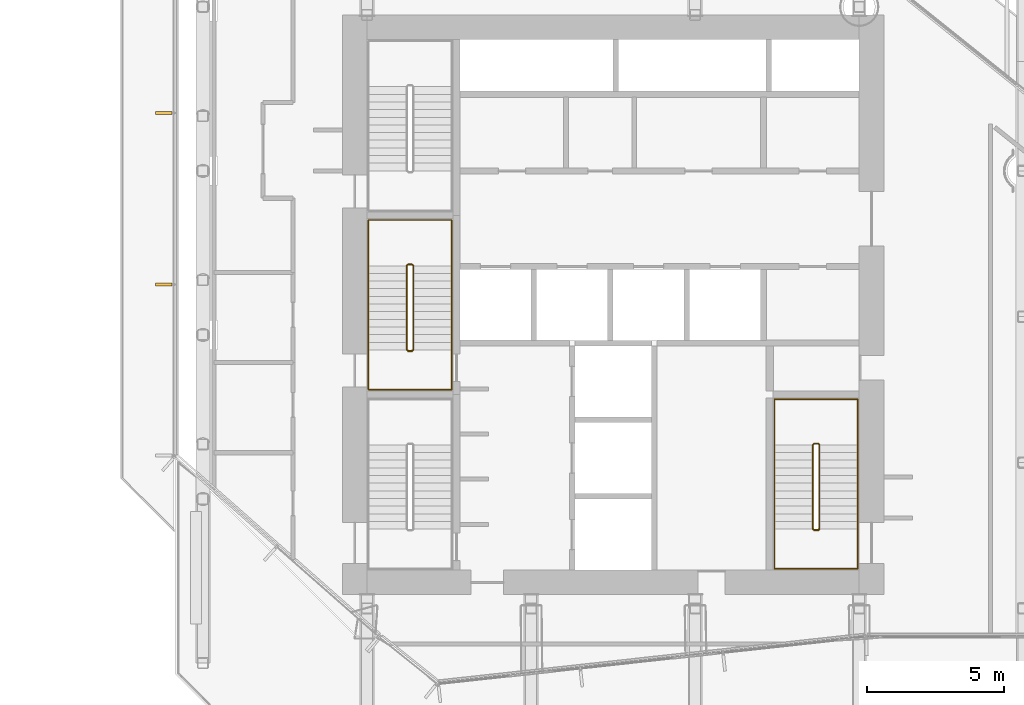
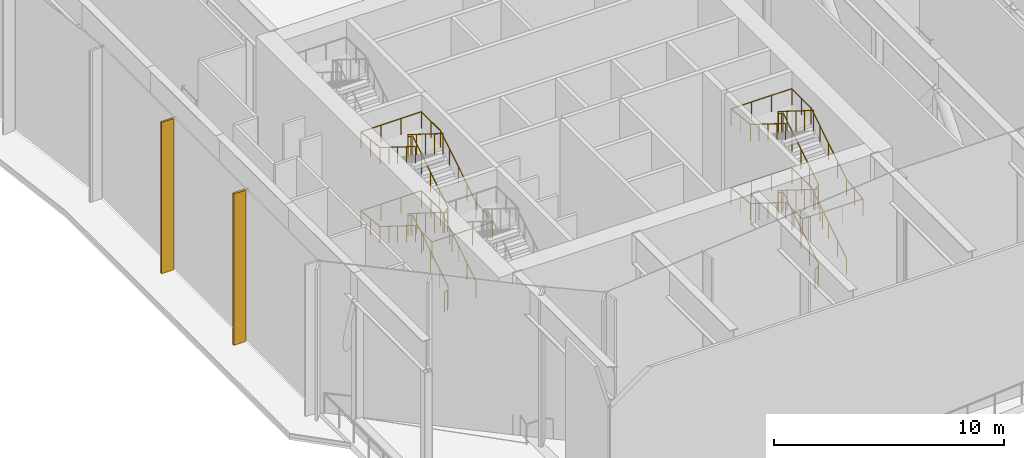
# One storey, part 19 of 25: 4 railings, 2 coverings.
"""IFC4 building model written with IfcOpenShell, lengths in metres."""

from ifc_helpers import new_model, si_unit, direction, frame, origin, origin_2d, place, context, subcontext, project, spatial, rectangle, circle, extrude, material, layer, layer_set, type_object, element, save


model = new_model("IFC4")

# Units and contexts
model_context = context("Model", 3, precision=1e-05, world=origin(), true_north=direction((0.0, 1.0)))
body_context = subcontext(model_context, "Body", "Model", "MODEL_VIEW")
ifc_project = project(units=[si_unit("LENGTHUNIT", "METRE"), si_unit("AREAUNIT", "SQUARE_METRE"), si_unit("VOLUMEUNIT", "CUBIC_METRE"), si_unit("PLANEANGLEUNIT", "RADIAN"), si_unit("MASSUNIT", "GRAM", prefix="KILO")], contexts=[model_context])

# Site, building, storey
site_placement = place(None, origin())
site = spatial("IfcSite", under=ifc_project, at=site_placement, CompositionType="ELEMENT")
building_placement = place(site_placement, origin())
building = spatial("IfcBuilding", under=site, at=building_placement, Name="Welwitschia Terrace Campus", CompositionType="ELEMENT")
storey_placement = place(building_placement, frame((0.0, 0.0, 79.39990234375)))
storey = spatial("IfcBuildingStorey", under=building, at=storey_placement, Name="L18", CompositionType="ELEMENT", Elevation=79.39990234375)

# Coverings
ifc_material_1 = material(Name="Bronze anodised aluminium", Category="aluminium")
ifc_layer = layer(ifc_material_1, 0.10009765625)
ifc_layer_set = layer_set([ifc_layer], Name="Bronze anodised aluminium")
covering_type = type_object("IfcCoveringType", Name="Bronze fin 100x600", PredefinedType="USERDEFINED", material=ifc_layer_set)
for number, where, z_axis, x_axis, name in (
    (1, (-1.429931640625, 22.118896484375, 0.0), (0.0, 0.0, 1.0), (0.0, -1.0, 0.0), "Fin L18.4.1"),
    (2, (-1.429931640625, 15.842041015625, 0.0), (0.0, 0.0, 1.0), (0.0, -1.0, 0.0), "Fin L18.4.2"),
):
    element("IfcCovering", number, at=place(storey_placement, frame(where, z_axis=z_axis, x_axis=x_axis)), inside=storey, type_object=covering_type, Name=name, ObjectType="FIN", PredefinedType="USERDEFINED", context=body_context, shape_type="SweptSolid", body=[
        extrude(rectangle(XDim=0.10009765625, YDim=0.60009765625, at=origin_2d()), origin(), (0.0, 0.0, 1.0), 8.050048828125),
    ])

# Railings
ifc_material_2 = material(Name="Steel S355", Category="steel")
railing_type_1 = type_object("IfcRailingType", Name="Stair guard 1100", PredefinedType="GUARDRAIL", material=ifc_material_2)
railing_1_placement = place(storey_placement, frame((7.5, 13.39990234375, 0.0)))
element("IfcRailing", 3, at=railing_1_placement, inside=storey, type_object=railing_type_1, Name="L18 S3 stair guard", PredefinedType="GUARDRAIL", context=body_context, shape_type="SweptSolid", body=[
    extrude(circle(Radius=0.02392578125, at=origin_2d()), frame((0.0, 0.0, 1.076171875), z_axis=(1.0, 0.0, 0.0), x_axis=(0.0, 1.0, 0.0)), (0.0, 0.0, 1.0), 0.14990234375),
    extrude(circle(Radius=0.02392578125, at=origin_2d()), frame((0.14990234375, 0.0, 1.076171875), z_axis=(0.265065253269, 0.265065253269, 0.927081885822), x_axis=(-0.707106781187, 0.707106781187, 0.0)), (0.0, 0.0, 1.0), 0.188720703125),
    extrude(circle(Radius=0.02392578125, at=origin_2d()), frame((0.199951171875, 0.050048828125, 1.2509765625), z_axis=(0.0, 0.847998304005, 0.529998940003), x_axis=(-1.0, 0.0, 0.0)), (0.0, 0.0, 1.0), 3.632080078125),
    extrude(circle(Radius=0.02392578125, at=origin_2d()), frame((0.199951171875, 3.130126953125, 3.17626953125), z_axis=(-0.707106781187, 0.707106781187, 0.0), x_axis=(-0.707106781187, -0.707106781187, 0.0)), (0.0, 0.0, 1.0), 0.07080078125),
    extrude(circle(Radius=0.02392578125, at=origin_2d()), frame((0.14990234375, 3.18017578125, 3.17626953125), z_axis=(-1.0, 0.0, 0.0), x_axis=(0.0, -1.0, 0.0)), (0.0, 0.0, 1.0), 0.14990234375),
    extrude(circle(Radius=0.02392578125, at=origin_2d()), frame((0.0, 3.18017578125, 3.17626953125), z_axis=(-0.265065253269, -0.265065253269, 0.927081885822), x_axis=(0.707106781187, -0.707106781187, 0.0)), (0.0, 0.0, 1.0), 0.188720703125),
    extrude(circle(Radius=0.02392578125, at=origin_2d()), frame((-0.050048828125, 3.130126953125, 3.35107421875), z_axis=(0.0, -0.847998304005, 0.529998940003), x_axis=(1.0, 0.0, 0.0)), (0.0, 0.0, 1.0), 3.632080078125),
    extrude(circle(Radius=0.02392578125, at=origin_2d()), frame((-0.050048828125, 0.050048828125, 5.2763671875), z_axis=(0.970072785993, -0.242814311512, 0.0), x_axis=(0.242814311512, 0.970072785993, 0.0)), (0.0, 0.0, 1.0), 0.2060546875),
    extrude(circle(Radius=0.02392578125, at=origin_2d()), frame((0.14990234375, 0.0, 5.2763671875), z_axis=(-1.0, 0.0, 0.0), x_axis=(0.0, -1.0, 0.0)), (0.0, 0.0, 1.0), 0.14990234375),
    extrude(circle(Radius=0.02392578125, at=origin_2d()), frame((0.0, 0.0, 5.2763671875), z_axis=(0.73983951143, 0.185185714094, 0.646794981909), x_axis=(-0.242814311512, 0.970072785993, 0.0)), (0.0, 0.0, 1.0), 0.270263671875),
    extrude(circle(Radius=0.02392578125, at=origin_2d()), frame((0.199951171875, 0.050048828125, 5.451171875), z_axis=(0.0, 0.847998304005, 0.529998940003), x_axis=(-1.0, 0.0, 0.0)), (0.0, 0.0, 1.0), 3.632080078125),
    extrude(circle(Radius=0.02392578125, at=origin_2d()), frame((0.199951171875, 3.130126953125, 7.3759765625), z_axis=(-0.707106781187, 0.707106781187, 0.0), x_axis=(-0.707106781187, -0.707106781187, 0.0)), (0.0, 0.0, 1.0), 0.07080078125),
    extrude(circle(Radius=0.02392578125, at=origin_2d()), frame((0.14990234375, 3.18017578125, 7.3759765625), z_axis=(-1.0, 0.0, 0.0), x_axis=(0.0, -1.0, 0.0)), (0.0, 0.0, 1.0), 0.14990234375),
    extrude(circle(Radius=0.02392578125, at=origin_2d()), frame((0.0, 3.18017578125, 7.3759765625), z_axis=(-0.265065253269, -0.265065253269, 0.927081885822), x_axis=(0.707106781187, -0.707106781187, 0.0)), (0.0, 0.0, 1.0), 0.188720703125),
    extrude(circle(Radius=0.02392578125, at=origin_2d()), frame((-0.050048828125, 3.130126953125, 7.55126953125), z_axis=(0.0, -0.847998304005, 0.529998940003), x_axis=(1.0, 0.0, 0.0)), (0.0, 0.0, 1.0), 3.632080078125),
    extrude(circle(Radius=0.02099609375, at=origin_2d()), origin(), (0.0, 0.0, 1.0), 1.052001953125),
    extrude(circle(Radius=0.02099609375, at=origin_2d()), frame((0.14990234375, 0.0, 0.0)), (0.0, 0.0, 1.0), 1.052001953125),
    extrude(circle(Radius=0.02099609375, at=origin_2d()), frame((0.199951171875, 0.050048828125, 0.175048828125)), (0.0, 0.0, 1.0), 1.052001953125),
    extrude(circle(Radius=0.02099609375, at=origin_2d()), frame((0.199951171875, 0.820068359375, 0.65625)), (0.0, 0.0, 1.0), 1.052001953125),
    extrude(circle(Radius=0.02099609375, at=origin_2d()), frame((0.199951171875, 1.590087890625, 1.1376953125)), (0.0, 0.0, 1.0), 1.052001953125),
    extrude(circle(Radius=0.02099609375, at=origin_2d()), frame((0.199951171875, 2.360107421875, 1.618896484375)), (0.0, 0.0, 1.0), 1.052001953125),
    extrude(circle(Radius=0.02099609375, at=origin_2d()), frame((0.199951171875, 3.130126953125, 2.10009765625)), (0.0, 0.0, 1.0), 1.052001953125),
    extrude(circle(Radius=0.02099609375, at=origin_2d()), frame((0.14990234375, 3.18017578125, 2.10009765625)), (0.0, 0.0, 1.0), 1.052001953125),
    extrude(circle(Radius=0.02099609375, at=origin_2d()), frame((0.0, 3.18017578125, 2.10009765625)), (0.0, 0.0, 1.0), 1.052001953125),
    extrude(circle(Radius=0.02099609375, at=origin_2d()), frame((-0.050048828125, 3.130126953125, 2.275146484375)), (0.0, 0.0, 1.0), 1.052001953125),
    extrude(circle(Radius=0.02099609375, at=origin_2d()), frame((-0.050048828125, 2.360107421875, 2.75634765625)), (0.0, 0.0, 1.0), 1.052001953125),
    extrude(circle(Radius=0.02099609375, at=origin_2d()), frame((-0.050048828125, 1.590087890625, 3.23779296875)), (0.0, 0.0, 1.0), 1.052001953125),
    extrude(circle(Radius=0.02099609375, at=origin_2d()), frame((-0.050048828125, 0.820068359375, 3.718994140625)), (0.0, 0.0, 1.0), 1.052001953125),
    extrude(circle(Radius=0.02099609375, at=origin_2d()), frame((-0.050048828125, 0.050048828125, 4.2001953125)), (0.0, 0.0, 1.0), 1.052001953125),
    extrude(circle(Radius=0.02099609375, at=origin_2d()), frame((0.14990234375, 0.0, 4.2001953125)), (0.0, 0.0, 1.0), 1.052001953125),
    extrude(circle(Radius=0.02099609375, at=origin_2d()), frame((0.0, 0.0, 4.2001953125)), (0.0, 0.0, 1.0), 1.052001953125),
    extrude(circle(Radius=0.02099609375, at=origin_2d()), frame((0.199951171875, 0.050048828125, 4.375)), (0.0, 0.0, 1.0), 1.052001953125),
    extrude(circle(Radius=0.02099609375, at=origin_2d()), frame((0.199951171875, 0.820068359375, 4.856201171875)), (0.0, 0.0, 1.0), 1.052001953125),
    extrude(circle(Radius=0.02099609375, at=origin_2d()), frame((0.199951171875, 1.590087890625, 5.33740234375)), (0.0, 0.0, 1.0), 1.052001953125),
    extrude(circle(Radius=0.02099609375, at=origin_2d()), frame((0.199951171875, 2.360107421875, 5.81884765625)), (0.0, 0.0, 1.0), 1.052001953125),
    extrude(circle(Radius=0.02099609375, at=origin_2d()), frame((0.199951171875, 3.130126953125, 6.300048828125)), (0.0, 0.0, 1.0), 1.052001953125),
    extrude(circle(Radius=0.02099609375, at=origin_2d()), frame((0.14990234375, 3.18017578125, 6.300048828125)), (0.0, 0.0, 1.0), 1.052001953125),
    extrude(circle(Radius=0.02099609375, at=origin_2d()), frame((0.0, 3.18017578125, 6.300048828125)), (0.0, 0.0, 1.0), 1.052001953125),
    extrude(circle(Radius=0.02099609375, at=origin_2d()), frame((-0.050048828125, 3.130126953125, 6.47509765625)), (0.0, 0.0, 1.0), 1.052001953125),
    extrude(circle(Radius=0.02099609375, at=origin_2d()), frame((-0.050048828125, 2.360107421875, 6.956298828125)), (0.0, 0.0, 1.0), 1.052001953125),
    extrude(circle(Radius=0.02099609375, at=origin_2d()), frame((-0.050048828125, 1.590087890625, 7.4375)), (0.0, 0.0, 1.0), 1.052001953125),
    extrude(circle(Radius=0.02099609375, at=origin_2d()), frame((-0.050048828125, 0.820068359375, 7.9189453125)), (0.0, 0.0, 1.0), 1.052001953125),
    extrude(circle(Radius=0.02099609375, at=origin_2d()), frame((-0.050048828125, 0.050048828125, 8.400146484375)), (0.0, 0.0, 1.0), 1.052001953125),
])
railing_2_placement = place(storey_placement, frame((22.35009765625, 6.85009765625, 0.0)))
element("IfcRailing", 4, at=railing_2_placement, inside=storey, type_object=railing_type_1, Name="L18 S2 stair guard", PredefinedType="GUARDRAIL", context=body_context, shape_type="SweptSolid", body=[
    extrude(circle(Radius=0.02392578125, at=origin_2d()), frame((0.0, 0.0, 1.076171875), z_axis=(1.0, 0.0, 0.0), x_axis=(0.0, 1.0, 0.0)), (0.0, 0.0, 1.0), 0.14990234375),
    extrude(circle(Radius=0.02392578125, at=origin_2d()), frame((0.14990234375, 0.0, 1.076171875), z_axis=(0.265155923931, 0.263862480399, 0.927399011991), x_axis=(-0.705375805398, 0.708833529934, 0.0)), (0.0, 0.0, 1.0), 0.188720703125),
    extrude(circle(Radius=0.02392578125, at=origin_2d()), frame((0.199951171875, 0.0498046875, 1.2509765625), z_axis=(0.0, 0.847998304005, 0.529998940003), x_axis=(-1.0, 0.0, 0.0)), (0.0, 0.0, 1.0), 3.632080078125),
    extrude(circle(Radius=0.02392578125, at=origin_2d()), frame((0.199951171875, 3.1298828125, 3.17626953125), z_axis=(-0.707106781187, 0.707106781187, 0.0), x_axis=(-0.707106781187, -0.707106781187, 0.0)), (0.0, 0.0, 1.0), 0.07080078125),
    extrude(circle(Radius=0.02392578125, at=origin_2d()), frame((0.14990234375, 3.179931640625, 3.17626953125), z_axis=(-1.0, 0.0, 0.0), x_axis=(0.0, -1.0, 0.0)), (0.0, 0.0, 1.0), 0.14990234375),
    extrude(circle(Radius=0.02392578125, at=origin_2d()), frame((0.0, 3.179931640625, 3.17626953125), z_axis=(-0.265065253269, -0.265065253269, 0.927081885822), x_axis=(0.707106781187, -0.707106781187, 0.0)), (0.0, 0.0, 1.0), 0.188720703125),
    extrude(circle(Radius=0.02392578125, at=origin_2d()), frame((-0.050048828125, 3.1298828125, 3.35107421875), z_axis=(0.0, -0.847998304005, 0.529998940003), x_axis=(1.0, 0.0, 0.0)), (0.0, 0.0, 1.0), 3.632080078125),
    extrude(circle(Radius=0.02392578125, at=origin_2d()), frame((-0.050048828125, 0.0498046875, 5.2763671875), z_axis=(0.970351222016, -0.241699205484, 0.0), x_axis=(0.241699205484, 0.970351222016, 0.0)), (0.0, 0.0, 1.0), 0.2060546875),
    extrude(circle(Radius=0.02392578125, at=origin_2d()), frame((0.14990234375, 0.0, 5.2763671875), z_axis=(-1.0, 0.0, 0.0), x_axis=(0.0, -1.0, 0.0)), (0.0, 0.0, 1.0), 0.14990234375),
    extrude(circle(Radius=0.02392578125, at=origin_2d()), frame((0.0, 0.0, 5.2763671875), z_axis=(0.739963005698, 0.184313129624, 0.646902945152), x_axis=(-0.241699205484, 0.970351222016, 0.0)), (0.0, 0.0, 1.0), 0.270263671875),
    extrude(circle(Radius=0.02392578125, at=origin_2d()), frame((0.199951171875, 0.0498046875, 5.451171875), z_axis=(0.0, 0.847998304005, 0.529998940003), x_axis=(-1.0, 0.0, 0.0)), (0.0, 0.0, 1.0), 3.632080078125),
    extrude(circle(Radius=0.02392578125, at=origin_2d()), frame((0.199951171875, 3.1298828125, 7.3759765625), z_axis=(-0.707106781187, 0.707106781187, 0.0), x_axis=(-0.707106781187, -0.707106781187, 0.0)), (0.0, 0.0, 1.0), 0.07080078125),
    extrude(circle(Radius=0.02392578125, at=origin_2d()), frame((0.14990234375, 3.179931640625, 7.3759765625), z_axis=(-1.0, 0.0, 0.0), x_axis=(0.0, -1.0, 0.0)), (0.0, 0.0, 1.0), 0.14990234375),
    extrude(circle(Radius=0.02392578125, at=origin_2d()), frame((0.0, 3.179931640625, 7.3759765625), z_axis=(-0.265065253269, -0.265065253269, 0.927081885822), x_axis=(0.707106781187, -0.707106781187, 0.0)), (0.0, 0.0, 1.0), 0.188720703125),
    extrude(circle(Radius=0.02392578125, at=origin_2d()), frame((-0.050048828125, 3.1298828125, 7.55126953125), z_axis=(0.0, -0.847998304005, 0.529998940003), x_axis=(1.0, 0.0, 0.0)), (0.0, 0.0, 1.0), 3.632080078125),
    extrude(circle(Radius=0.02099609375, at=origin_2d()), origin(), (0.0, 0.0, 1.0), 1.052001953125),
    extrude(circle(Radius=0.02099609375, at=origin_2d()), frame((0.14990234375, 0.0, 0.0)), (0.0, 0.0, 1.0), 1.052001953125),
    extrude(circle(Radius=0.02099609375, at=origin_2d()), frame((0.199951171875, 0.0498046875, 0.175048828125)), (0.0, 0.0, 1.0), 1.052001953125),
    extrude(circle(Radius=0.02099609375, at=origin_2d()), frame((0.199951171875, 0.81982421875, 0.65625)), (0.0, 0.0, 1.0), 1.052001953125),
    extrude(circle(Radius=0.02099609375, at=origin_2d()), frame((0.199951171875, 1.58984375, 1.1376953125)), (0.0, 0.0, 1.0), 1.052001953125),
    extrude(circle(Radius=0.02099609375, at=origin_2d()), frame((0.199951171875, 2.35986328125, 1.618896484375)), (0.0, 0.0, 1.0), 1.052001953125),
    extrude(circle(Radius=0.02099609375, at=origin_2d()), frame((0.199951171875, 3.1298828125, 2.10009765625)), (0.0, 0.0, 1.0), 1.052001953125),
    extrude(circle(Radius=0.02099609375, at=origin_2d()), frame((0.14990234375, 3.179931640625, 2.10009765625)), (0.0, 0.0, 1.0), 1.052001953125),
    extrude(circle(Radius=0.02099609375, at=origin_2d()), frame((0.0, 3.179931640625, 2.10009765625)), (0.0, 0.0, 1.0), 1.052001953125),
    extrude(circle(Radius=0.02099609375, at=origin_2d()), frame((-0.050048828125, 3.1298828125, 2.275146484375)), (0.0, 0.0, 1.0), 1.052001953125),
    extrude(circle(Radius=0.02099609375, at=origin_2d()), frame((-0.050048828125, 2.35986328125, 2.75634765625)), (0.0, 0.0, 1.0), 1.052001953125),
    extrude(circle(Radius=0.02099609375, at=origin_2d()), frame((-0.050048828125, 1.58984375, 3.23779296875)), (0.0, 0.0, 1.0), 1.052001953125),
    extrude(circle(Radius=0.02099609375, at=origin_2d()), frame((-0.050048828125, 0.81982421875, 3.718994140625)), (0.0, 0.0, 1.0), 1.052001953125),
    extrude(circle(Radius=0.02099609375, at=origin_2d()), frame((-0.050048828125, 0.0498046875, 4.2001953125)), (0.0, 0.0, 1.0), 1.052001953125),
    extrude(circle(Radius=0.02099609375, at=origin_2d()), frame((0.14990234375, 0.0, 4.2001953125)), (0.0, 0.0, 1.0), 1.052001953125),
    extrude(circle(Radius=0.02099609375, at=origin_2d()), frame((0.0, 0.0, 4.2001953125)), (0.0, 0.0, 1.0), 1.052001953125),
    extrude(circle(Radius=0.02099609375, at=origin_2d()), frame((0.199951171875, 0.0498046875, 4.375)), (0.0, 0.0, 1.0), 1.052001953125),
    extrude(circle(Radius=0.02099609375, at=origin_2d()), frame((0.199951171875, 0.81982421875, 4.856201171875)), (0.0, 0.0, 1.0), 1.052001953125),
    extrude(circle(Radius=0.02099609375, at=origin_2d()), frame((0.199951171875, 1.58984375, 5.33740234375)), (0.0, 0.0, 1.0), 1.052001953125),
    extrude(circle(Radius=0.02099609375, at=origin_2d()), frame((0.199951171875, 2.35986328125, 5.81884765625)), (0.0, 0.0, 1.0), 1.052001953125),
    extrude(circle(Radius=0.02099609375, at=origin_2d()), frame((0.199951171875, 3.1298828125, 6.300048828125)), (0.0, 0.0, 1.0), 1.052001953125),
    extrude(circle(Radius=0.02099609375, at=origin_2d()), frame((0.14990234375, 3.179931640625, 6.300048828125)), (0.0, 0.0, 1.0), 1.052001953125),
    extrude(circle(Radius=0.02099609375, at=origin_2d()), frame((0.0, 3.179931640625, 6.300048828125)), (0.0, 0.0, 1.0), 1.052001953125),
    extrude(circle(Radius=0.02099609375, at=origin_2d()), frame((-0.050048828125, 3.1298828125, 6.47509765625)), (0.0, 0.0, 1.0), 1.052001953125),
    extrude(circle(Radius=0.02099609375, at=origin_2d()), frame((-0.050048828125, 2.35986328125, 6.956298828125)), (0.0, 0.0, 1.0), 1.052001953125),
    extrude(circle(Radius=0.02099609375, at=origin_2d()), frame((-0.050048828125, 1.58984375, 7.4375)), (0.0, 0.0, 1.0), 1.052001953125),
    extrude(circle(Radius=0.02099609375, at=origin_2d()), frame((-0.050048828125, 0.81982421875, 7.9189453125)), (0.0, 0.0, 1.0), 1.052001953125),
    extrude(circle(Radius=0.02099609375, at=origin_2d()), frame((-0.050048828125, 0.0498046875, 8.400146484375)), (0.0, 0.0, 1.0), 1.052001953125),
])
ifc_material_3 = material(Name="Steel S355", Category="steel")
railing_type_2 = type_object("IfcRailingType", Name="Stair handrail 900", PredefinedType="HANDRAIL", material=ifc_material_3)
railing_3_placement = place(storey_placement, frame((9.10009765625, 13.449951171875, 0.175048828125)))
element("IfcRailing", 5, at=railing_3_placement, inside=storey, type_object=railing_type_2, Name="L18 S3 stair handrail", PredefinedType="HANDRAIL", context=body_context, shape_type="SweptSolid", body=[
    extrude(circle(Radius=0.02392578125, at=origin_2d()), frame((0.0, 0.0, 0.8759765625), z_axis=(0.0, 0.847998304005, 0.529998940003), x_axis=(-1.0, 0.0, 0.0)), (0.0, 0.0, 1.0), 3.632080078125),
    extrude(circle(Radius=0.02392578125, at=origin_2d()), frame((0.0, 3.080078125, 2.80078125), z_axis=(0.0, 1.0, 0.0), x_axis=(-1.0, 0.0, 0.0)), (0.0, 0.0, 1.0), 1.669921875),
    extrude(circle(Radius=0.02392578125, at=origin_2d()), frame((0.0, 4.75, 2.80078125), z_axis=(-1.0, 0.0, 0.0), x_axis=(0.0, -1.0, 0.0)), (0.0, 0.0, 1.0), 3.050048828125),
    extrude(circle(Radius=0.02392578125, at=origin_2d()), frame((-3.050048828125, 4.75, 2.80078125), z_axis=(0.0, -0.99455077262, 0.104253348533), x_axis=(1.0, 0.0, 0.0)), (0.0, 0.0, 1.0), 1.678955078125),
    extrude(circle(Radius=0.02392578125, at=origin_2d()), frame((-3.050048828125, 3.080078125, 2.97607421875), z_axis=(0.0, -0.847998304005, 0.529998940003), x_axis=(1.0, 0.0, 0.0)), (0.0, 0.0, 1.0), 3.632080078125),
    extrude(circle(Radius=0.02392578125, at=origin_2d()), frame((-3.050048828125, 0.0, 4.90087890625), z_axis=(0.0, -1.0, 0.0), x_axis=(1.0, 0.0, 0.0)), (0.0, 0.0, 1.0), 1.449951171875),
    extrude(circle(Radius=0.02392578125, at=origin_2d()), frame((-3.050048828125, -1.449951171875, 4.90087890625), z_axis=(1.0, 0.0, 0.0), x_axis=(0.0, 1.0, 0.0)), (0.0, 0.0, 1.0), 3.050048828125),
    extrude(circle(Radius=0.02392578125, at=origin_2d()), frame((0.0, -1.449951171875, 4.90087890625), z_axis=(0.0, 0.992811033416, 0.119692321927), x_axis=(-1.0, 0.0, 0.0)), (0.0, 0.0, 1.0), 1.46044921875),
    extrude(circle(Radius=0.02392578125, at=origin_2d()), frame((0.0, 0.0, 5.07568359375), z_axis=(0.0, 0.847998304005, 0.529998940003), x_axis=(-1.0, 0.0, 0.0)), (0.0, 0.0, 1.0), 3.632080078125),
    extrude(circle(Radius=0.02392578125, at=origin_2d()), frame((0.0, 3.080078125, 7.0009765625), z_axis=(0.0, 1.0, 0.0), x_axis=(-1.0, 0.0, 0.0)), (0.0, 0.0, 1.0), 1.669921875),
    extrude(circle(Radius=0.02392578125, at=origin_2d()), frame((0.0, 4.75, 7.0009765625), z_axis=(-1.0, 0.0, 0.0), x_axis=(0.0, -1.0, 0.0)), (0.0, 0.0, 1.0), 3.050048828125),
    extrude(circle(Radius=0.02392578125, at=origin_2d()), frame((-3.050048828125, 4.75, 7.0009765625), z_axis=(0.0, -0.99455077262, 0.104253348533), x_axis=(1.0, 0.0, 0.0)), (0.0, 0.0, 1.0), 1.678955078125),
    extrude(circle(Radius=0.02392578125, at=origin_2d()), frame((-3.050048828125, 3.080078125, 7.17578125), z_axis=(0.0, -0.847998304005, 0.529998940003), x_axis=(1.0, 0.0, 0.0)), (0.0, 0.0, 1.0), 3.632080078125),
    extrude(circle(Radius=0.02099609375, at=origin_2d()), origin(), (0.0, 0.0, 1.0), 0.851806640625),
    extrude(circle(Radius=0.02099609375, at=origin_2d()), frame((0.0, 0.77001953125, 0.481201171875)), (0.0, 0.0, 1.0), 0.851806640625),
    extrude(circle(Radius=0.02099609375, at=origin_2d()), frame((0.0, 1.5400390625, 0.96240234375)), (0.0, 0.0, 1.0), 0.851806640625),
    extrude(circle(Radius=0.02099609375, at=origin_2d()), frame((0.0, 2.31005859375, 1.44384765625)), (0.0, 0.0, 1.0), 0.851806640625),
    extrude(circle(Radius=0.02099609375, at=origin_2d()), frame((0.0, 3.080078125, 1.925048828125)), (0.0, 0.0, 1.0), 0.851806640625),
    extrude(circle(Radius=0.02099609375, at=origin_2d()), frame((0.0, 3.9150390625, 1.925048828125)), (0.0, 0.0, 1.0), 0.851806640625),
    extrude(circle(Radius=0.02099609375, at=origin_2d()), frame((0.0, 4.75, 1.925048828125)), (0.0, 0.0, 1.0), 0.851806640625),
    extrude(circle(Radius=0.02099609375, at=origin_2d()), frame((-1.0166015625, 4.75, 1.925048828125)), (0.0, 0.0, 1.0), 0.851806640625),
    extrude(circle(Radius=0.02099609375, at=origin_2d()), frame((-2.033447265625, 4.75, 1.925048828125)), (0.0, 0.0, 1.0), 0.851806640625),
    extrude(circle(Radius=0.02099609375, at=origin_2d()), frame((-3.050048828125, 4.75, 1.925048828125)), (0.0, 0.0, 1.0), 0.851806640625),
    extrude(circle(Radius=0.02099609375, at=origin_2d()), frame((-3.050048828125, 3.9150390625, 2.0126953125)), (0.0, 0.0, 1.0), 0.851806640625),
    extrude(circle(Radius=0.02099609375, at=origin_2d()), frame((-3.050048828125, 3.080078125, 2.10009765625)), (0.0, 0.0, 1.0), 0.851806640625),
    extrude(circle(Radius=0.02099609375, at=origin_2d()), frame((-3.050048828125, 2.31005859375, 2.581298828125)), (0.0, 0.0, 1.0), 0.851806640625),
    extrude(circle(Radius=0.02099609375, at=origin_2d()), frame((-3.050048828125, 1.5400390625, 3.0625)), (0.0, 0.0, 1.0), 0.851806640625),
    extrude(circle(Radius=0.02099609375, at=origin_2d()), frame((-3.050048828125, 0.77001953125, 3.5439453125)), (0.0, 0.0, 1.0), 0.851806640625),
    extrude(circle(Radius=0.02099609375, at=origin_2d()), frame((-3.050048828125, 0.0, 4.025146484375)), (0.0, 0.0, 1.0), 0.851806640625),
    extrude(circle(Radius=0.02099609375, at=origin_2d()), frame((-3.050048828125, -0.72509765625, 4.025146484375)), (0.0, 0.0, 1.0), 0.851806640625),
    extrude(circle(Radius=0.02099609375, at=origin_2d()), frame((-3.050048828125, -1.449951171875, 4.025146484375)), (0.0, 0.0, 1.0), 0.851806640625),
    extrude(circle(Radius=0.02099609375, at=origin_2d()), frame((-2.033447265625, -1.449951171875, 4.025146484375)), (0.0, 0.0, 1.0), 0.851806640625),
    extrude(circle(Radius=0.02099609375, at=origin_2d()), frame((-1.0166015625, -1.449951171875, 4.025146484375)), (0.0, 0.0, 1.0), 0.851806640625),
    extrude(circle(Radius=0.02099609375, at=origin_2d()), frame((0.0, -1.449951171875, 4.025146484375)), (0.0, 0.0, 1.0), 0.851806640625),
    extrude(circle(Radius=0.02099609375, at=origin_2d()), frame((0.0, -0.72509765625, 4.112548828125)), (0.0, 0.0, 1.0), 0.851806640625),
    extrude(circle(Radius=0.02099609375, at=origin_2d()), frame((0.0, 0.0, 4.199951171875)), (0.0, 0.0, 1.0), 0.851806640625),
    extrude(circle(Radius=0.02099609375, at=origin_2d()), frame((0.0, 0.77001953125, 4.68115234375)), (0.0, 0.0, 1.0), 0.851806640625),
    extrude(circle(Radius=0.02099609375, at=origin_2d()), frame((0.0, 1.5400390625, 5.16259765625)), (0.0, 0.0, 1.0), 0.851806640625),
    extrude(circle(Radius=0.02099609375, at=origin_2d()), frame((0.0, 2.31005859375, 5.643798828125)), (0.0, 0.0, 1.0), 0.851806640625),
    extrude(circle(Radius=0.02099609375, at=origin_2d()), frame((0.0, 3.080078125, 6.125)), (0.0, 0.0, 1.0), 0.851806640625),
    extrude(circle(Radius=0.02099609375, at=origin_2d()), frame((0.0, 3.9150390625, 6.125)), (0.0, 0.0, 1.0), 0.851806640625),
    extrude(circle(Radius=0.02099609375, at=origin_2d()), frame((0.0, 4.75, 6.125)), (0.0, 0.0, 1.0), 0.851806640625),
    extrude(circle(Radius=0.02099609375, at=origin_2d()), frame((-1.0166015625, 4.75, 6.125)), (0.0, 0.0, 1.0), 0.851806640625),
    extrude(circle(Radius=0.02099609375, at=origin_2d()), frame((-2.033447265625, 4.75, 6.125)), (0.0, 0.0, 1.0), 0.851806640625),
    extrude(circle(Radius=0.02099609375, at=origin_2d()), frame((-3.050048828125, 4.75, 6.125)), (0.0, 0.0, 1.0), 0.851806640625),
    extrude(circle(Radius=0.02099609375, at=origin_2d()), frame((-3.050048828125, 3.9150390625, 6.21240234375)), (0.0, 0.0, 1.0), 0.851806640625),
    extrude(circle(Radius=0.02099609375, at=origin_2d()), frame((-3.050048828125, 3.080078125, 6.300048828125)), (0.0, 0.0, 1.0), 0.851806640625),
    extrude(circle(Radius=0.02099609375, at=origin_2d()), frame((-3.050048828125, 2.31005859375, 6.78125)), (0.0, 0.0, 1.0), 0.851806640625),
    extrude(circle(Radius=0.02099609375, at=origin_2d()), frame((-3.050048828125, 1.5400390625, 7.2626953125)), (0.0, 0.0, 1.0), 0.851806640625),
    extrude(circle(Radius=0.02099609375, at=origin_2d()), frame((-3.050048828125, 0.77001953125, 7.743896484375)), (0.0, 0.0, 1.0), 0.851806640625),
    extrude(circle(Radius=0.02099609375, at=origin_2d()), frame((-3.050048828125, 0.0, 8.22509765625)), (0.0, 0.0, 1.0), 0.851806640625),
])
railing_4_placement = place(storey_placement, frame((23.949951171875, 6.89990234375, 0.175048828125)))
element("IfcRailing", 6, at=railing_4_placement, inside=storey, type_object=railing_type_2, Name="L18 S2 stair handrail", PredefinedType="HANDRAIL", context=body_context, shape_type="SweptSolid", body=[
    extrude(circle(Radius=0.02392578125, at=origin_2d()), frame((0.0, 0.0, 0.8759765625), z_axis=(0.0, 0.847998304005, 0.529998940003), x_axis=(-1.0, 0.0, 0.0)), (0.0, 0.0, 1.0), 3.632080078125),
    extrude(circle(Radius=0.02392578125, at=origin_2d()), frame((0.0, 3.080078125, 2.80078125), z_axis=(0.0, 1.0, 0.0), x_axis=(-1.0, 0.0, 0.0)), (0.0, 0.0, 1.0), 1.669921875),
    extrude(circle(Radius=0.02392578125, at=origin_2d()), frame((0.0, 4.75, 2.80078125), z_axis=(-1.0, 0.0, 0.0), x_axis=(0.0, -1.0, 0.0)), (0.0, 0.0, 1.0), 3.050048828125),
    extrude(circle(Radius=0.02392578125, at=origin_2d()), frame((-3.050048828125, 4.75, 2.80078125), z_axis=(0.0, -0.99455077262, 0.104253348533), x_axis=(1.0, 0.0, 0.0)), (0.0, 0.0, 1.0), 1.678955078125),
    extrude(circle(Radius=0.02392578125, at=origin_2d()), frame((-3.050048828125, 3.080078125, 2.97607421875), z_axis=(0.0, -0.847998304005, 0.529998940003), x_axis=(1.0, 0.0, 0.0)), (0.0, 0.0, 1.0), 3.632080078125),
    extrude(circle(Radius=0.02392578125, at=origin_2d()), frame((-3.050048828125, 0.0, 4.90087890625), z_axis=(0.0, -1.0, 0.0), x_axis=(1.0, 0.0, 0.0)), (0.0, 0.0, 1.0), 1.449951171875),
    extrude(circle(Radius=0.02392578125, at=origin_2d()), frame((-3.050048828125, -1.449951171875, 4.90087890625), z_axis=(1.0, 0.0, 0.0), x_axis=(0.0, 1.0, 0.0)), (0.0, 0.0, 1.0), 3.050048828125),
    extrude(circle(Radius=0.02392578125, at=origin_2d()), frame((0.0, -1.449951171875, 4.90087890625), z_axis=(0.0, 0.992811033416, 0.119692321927), x_axis=(-1.0, 0.0, 0.0)), (0.0, 0.0, 1.0), 1.46044921875),
    extrude(circle(Radius=0.02392578125, at=origin_2d()), frame((0.0, 0.0, 5.07568359375), z_axis=(0.0, 0.847998304005, 0.529998940003), x_axis=(-1.0, 0.0, 0.0)), (0.0, 0.0, 1.0), 3.632080078125),
    extrude(circle(Radius=0.02392578125, at=origin_2d()), frame((0.0, 3.080078125, 7.0009765625), z_axis=(0.0, 1.0, 0.0), x_axis=(-1.0, 0.0, 0.0)), (0.0, 0.0, 1.0), 1.669921875),
    extrude(circle(Radius=0.02392578125, at=origin_2d()), frame((0.0, 4.75, 7.0009765625), z_axis=(-1.0, 0.0, 0.0), x_axis=(0.0, -1.0, 0.0)), (0.0, 0.0, 1.0), 3.050048828125),
    extrude(circle(Radius=0.02392578125, at=origin_2d()), frame((-3.050048828125, 4.75, 7.0009765625), z_axis=(0.0, -0.99455077262, 0.104253348533), x_axis=(1.0, 0.0, 0.0)), (0.0, 0.0, 1.0), 1.678955078125),
    extrude(circle(Radius=0.02392578125, at=origin_2d()), frame((-3.050048828125, 3.080078125, 7.17578125), z_axis=(0.0, -0.847998304005, 0.529998940003), x_axis=(1.0, 0.0, 0.0)), (0.0, 0.0, 1.0), 3.632080078125),
    extrude(circle(Radius=0.02099609375, at=origin_2d()), origin(), (0.0, 0.0, 1.0), 0.851806640625),
    extrude(circle(Radius=0.02099609375, at=origin_2d()), frame((0.0, 0.77001953125, 0.481201171875)), (0.0, 0.0, 1.0), 0.851806640625),
    extrude(circle(Radius=0.02099609375, at=origin_2d()), frame((0.0, 1.5400390625, 0.96240234375)), (0.0, 0.0, 1.0), 0.851806640625),
    extrude(circle(Radius=0.02099609375, at=origin_2d()), frame((0.0, 2.31005859375, 1.44384765625)), (0.0, 0.0, 1.0), 0.851806640625),
    extrude(circle(Radius=0.02099609375, at=origin_2d()), frame((0.0, 3.080078125, 1.925048828125)), (0.0, 0.0, 1.0), 0.851806640625),
    extrude(circle(Radius=0.02099609375, at=origin_2d()), frame((0.0, 3.9150390625, 1.925048828125)), (0.0, 0.0, 1.0), 0.851806640625),
    extrude(circle(Radius=0.02099609375, at=origin_2d()), frame((0.0, 4.75, 1.925048828125)), (0.0, 0.0, 1.0), 0.851806640625),
    extrude(circle(Radius=0.02099609375, at=origin_2d()), frame((-1.0166015625, 4.75, 1.925048828125)), (0.0, 0.0, 1.0), 0.851806640625),
    extrude(circle(Radius=0.02099609375, at=origin_2d()), frame((-2.033447265625, 4.75, 1.925048828125)), (0.0, 0.0, 1.0), 0.851806640625),
    extrude(circle(Radius=0.02099609375, at=origin_2d()), frame((-3.050048828125, 4.75, 1.925048828125)), (0.0, 0.0, 1.0), 0.851806640625),
    extrude(circle(Radius=0.02099609375, at=origin_2d()), frame((-3.050048828125, 3.9150390625, 2.0126953125)), (0.0, 0.0, 1.0), 0.851806640625),
    extrude(circle(Radius=0.02099609375, at=origin_2d()), frame((-3.050048828125, 3.080078125, 2.10009765625)), (0.0, 0.0, 1.0), 0.851806640625),
    extrude(circle(Radius=0.02099609375, at=origin_2d()), frame((-3.050048828125, 2.31005859375, 2.581298828125)), (0.0, 0.0, 1.0), 0.851806640625),
    extrude(circle(Radius=0.02099609375, at=origin_2d()), frame((-3.050048828125, 1.5400390625, 3.0625)), (0.0, 0.0, 1.0), 0.851806640625),
    extrude(circle(Radius=0.02099609375, at=origin_2d()), frame((-3.050048828125, 0.77001953125, 3.5439453125)), (0.0, 0.0, 1.0), 0.851806640625),
    extrude(circle(Radius=0.02099609375, at=origin_2d()), frame((-3.050048828125, 0.0, 4.025146484375)), (0.0, 0.0, 1.0), 0.851806640625),
    extrude(circle(Radius=0.02099609375, at=origin_2d()), frame((-3.050048828125, -0.72509765625, 4.025146484375)), (0.0, 0.0, 1.0), 0.851806640625),
    extrude(circle(Radius=0.02099609375, at=origin_2d()), frame((-3.050048828125, -1.449951171875, 4.025146484375)), (0.0, 0.0, 1.0), 0.851806640625),
    extrude(circle(Radius=0.02099609375, at=origin_2d()), frame((-2.033447265625, -1.449951171875, 4.025146484375)), (0.0, 0.0, 1.0), 0.851806640625),
    extrude(circle(Radius=0.02099609375, at=origin_2d()), frame((-1.0166015625, -1.449951171875, 4.025146484375)), (0.0, 0.0, 1.0), 0.851806640625),
    extrude(circle(Radius=0.02099609375, at=origin_2d()), frame((0.0, -1.449951171875, 4.025146484375)), (0.0, 0.0, 1.0), 0.851806640625),
    extrude(circle(Radius=0.02099609375, at=origin_2d()), frame((0.0, -0.72509765625, 4.112548828125)), (0.0, 0.0, 1.0), 0.851806640625),
    extrude(circle(Radius=0.02099609375, at=origin_2d()), frame((0.0, 0.0, 4.199951171875)), (0.0, 0.0, 1.0), 0.851806640625),
    extrude(circle(Radius=0.02099609375, at=origin_2d()), frame((0.0, 0.77001953125, 4.68115234375)), (0.0, 0.0, 1.0), 0.851806640625),
    extrude(circle(Radius=0.02099609375, at=origin_2d()), frame((0.0, 1.5400390625, 5.16259765625)), (0.0, 0.0, 1.0), 0.851806640625),
    extrude(circle(Radius=0.02099609375, at=origin_2d()), frame((0.0, 2.31005859375, 5.643798828125)), (0.0, 0.0, 1.0), 0.851806640625),
    extrude(circle(Radius=0.02099609375, at=origin_2d()), frame((0.0, 3.080078125, 6.125)), (0.0, 0.0, 1.0), 0.851806640625),
    extrude(circle(Radius=0.02099609375, at=origin_2d()), frame((0.0, 3.9150390625, 6.125)), (0.0, 0.0, 1.0), 0.851806640625),
    extrude(circle(Radius=0.02099609375, at=origin_2d()), frame((0.0, 4.75, 6.125)), (0.0, 0.0, 1.0), 0.851806640625),
    extrude(circle(Radius=0.02099609375, at=origin_2d()), frame((-1.0166015625, 4.75, 6.125)), (0.0, 0.0, 1.0), 0.851806640625),
    extrude(circle(Radius=0.02099609375, at=origin_2d()), frame((-2.033447265625, 4.75, 6.125)), (0.0, 0.0, 1.0), 0.851806640625),
    extrude(circle(Radius=0.02099609375, at=origin_2d()), frame((-3.050048828125, 4.75, 6.125)), (0.0, 0.0, 1.0), 0.851806640625),
    extrude(circle(Radius=0.02099609375, at=origin_2d()), frame((-3.050048828125, 3.9150390625, 6.21240234375)), (0.0, 0.0, 1.0), 0.851806640625),
    extrude(circle(Radius=0.02099609375, at=origin_2d()), frame((-3.050048828125, 3.080078125, 6.300048828125)), (0.0, 0.0, 1.0), 0.851806640625),
    extrude(circle(Radius=0.02099609375, at=origin_2d()), frame((-3.050048828125, 2.31005859375, 6.78125)), (0.0, 0.0, 1.0), 0.851806640625),
    extrude(circle(Radius=0.02099609375, at=origin_2d()), frame((-3.050048828125, 1.5400390625, 7.2626953125)), (0.0, 0.0, 1.0), 0.851806640625),
    extrude(circle(Radius=0.02099609375, at=origin_2d()), frame((-3.050048828125, 0.77001953125, 7.743896484375)), (0.0, 0.0, 1.0), 0.851806640625),
    extrude(circle(Radius=0.02099609375, at=origin_2d()), frame((-3.050048828125, 0.0, 8.22509765625)), (0.0, 0.0, 1.0), 0.851806640625),
])

save(model, "model.ifc")
